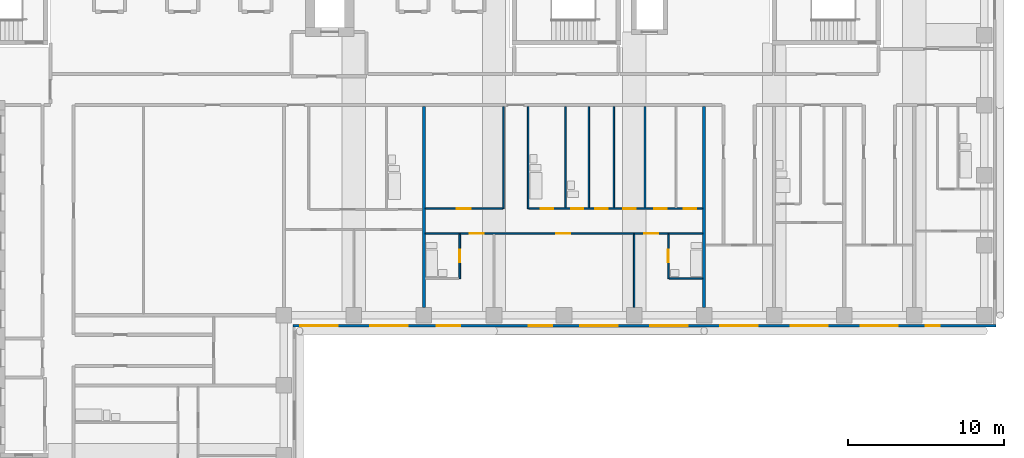
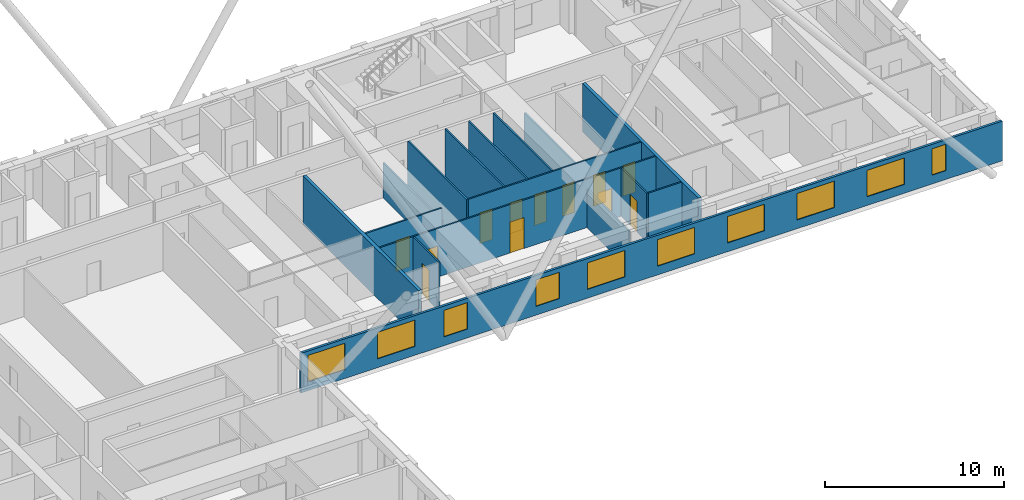
# One storey, part 7 of 13: 16 walls, 12 doors, 10 windows, 22 openings.
"""IFC4 building model written with IfcOpenShell, lengths in metres."""

from ifc_helpers import new_model, si_unit, direction, frame, frame_2d, origin, place, context, subcontext, project, spatial, rectangle, extrude, material, layer, layer_set, type_object, element, fill, save


model = new_model("IFC4")

# Units and contexts
model_context = context("Model", 3, precision=1e-05, world=origin(), true_north=direction((0.0, 1.0)))
body_context = subcontext(model_context, "Body", "Model", "MODEL_VIEW")
ifc_project = project(units=[si_unit("LENGTHUNIT", "METRE"), si_unit("AREAUNIT", "SQUARE_METRE"), si_unit("VOLUMEUNIT", "CUBIC_METRE"), si_unit("PLANEANGLEUNIT", "RADIAN"), si_unit("MASSUNIT", "GRAM", prefix="KILO")], contexts=[model_context])

# Site, building, storey
site_placement = place(None, origin())
site = spatial("IfcSite", under=ifc_project, at=site_placement, CompositionType="ELEMENT")
building_placement = place(site_placement, origin())
building = spatial("IfcBuilding", under=site, at=building_placement, Name="Firuza Court", CompositionType="ELEMENT")
storey_placement = place(building_placement, frame((0.0, 0.0, 119.60009765625)))
storey = spatial("IfcBuildingStorey", under=building, at=storey_placement, Name="L29", CompositionType="ELEMENT", Elevation=119.60009765625)

# Wall, opening, door
ifc_material_1 = material(Name="Moisture-resistant gypsum board partition")
ifc_layer_1 = layer(ifc_material_1, 0.10009765625)
ifc_layer_set_1 = layer_set([ifc_layer_1], Name="Moisture-resistant gypsum board partition")
wall_type_1 = type_object("IfcWallType", Name="Bathroom partition 100", PredefinedType="PLUMBINGWALL", material=ifc_layer_set_1)
wall_1_placement = place(storey_placement, frame((33.800048828125, 38.35009765625, 0.0), z_axis=(0.0, 0.0, 1.0), x_axis=(0.0, 1.0, 0.0)))
wall_1 = element("IfcWall", 1, at=wall_1_placement, inside=storey, type_object=wall_type_1, Name="Bathroom partition 100 L29", PredefinedType="PLUMBINGWALL", context=body_context, shape_type="SweptSolid", body=[
    extrude(rectangle(XDim=2.849853515625, YDim=0.10009765625, at=frame_2d((1.4248046875, 0.0))), origin(), (0.0, 0.0, 1.0), 3.2998046875),
])
opening_1_placement = place(wall_1_placement, frame((1.050048828125, 0.0, 0.0)))
opening_1 = element("IfcOpeningElement", 2, at=opening_1_placement, cuts=wall_1, Name="Opening D29038", PredefinedType="OPENING", context=body_context, shape_type="SweptSolid", body=[
    extrude(rectangle(XDim=0.800048828125, YDim=2.10009765625, at=frame_2d((0.39990234375, 1.050048828125))), frame((0.0, 0.06201171875, 0.0), z_axis=(0.0, -1.0, 0.0), x_axis=(1.0, 0.0, 0.0)), (0.0, 0.0, 1.0), 0.1240234375),
])
ifc_material_2 = material(Name="Timber door leaf in hardwood frame", Category="wood")
door_type_1 = type_object("IfcDoorType", Name="Bathroom door 800", OperationType="SINGLE_SWING_LEFT", PredefinedType="DOOR", material=ifc_material_2)
door_1_placement = place(opening_1_placement, origin())
door_1 = element("IfcDoor", 3, at=door_1_placement, inside=storey, type_object=door_type_1, Name="En-suite door", OperationType="SINGLE_SWING_LEFT", OverallHeight=2.10009765625, OverallWidth=0.800048828125, PredefinedType="DOOR", context=body_context, shape_type="SweptSolid", body=[
    extrude(rectangle(XDim=0.800048828125, YDim=2.10009765625, at=frame_2d((0.39990234375, 1.050048828125))), frame((0.0, 0.02490234375, 0.0), z_axis=(0.0, -1.0, 0.0), x_axis=(1.0, 0.0, 0.0)), (0.0, 0.0, 1.0), 0.050048828125),
])
fill(opening_1, door_1)

wall_2_placement = place(storey_placement, frame((47.199951171875, 38.35009765625, 0.0), z_axis=(0.0, 0.0, 1.0), x_axis=(0.0, 1.0, 0.0)))
wall_2 = element("IfcWall", 4, at=wall_2_placement, inside=storey, type_object=wall_type_1, Name="Bathroom partition 100 L29", PredefinedType="PLUMBINGWALL", context=body_context, shape_type="SweptSolid", body=[
    extrude(rectangle(XDim=2.849853515625, YDim=0.10009765625, at=frame_2d((1.4248046875, 0.0))), origin(), (0.0, 0.0, 1.0), 3.2998046875),
])
opening_2_placement = place(wall_2_placement, frame((1.050048828125, 0.0, 0.0)))
opening_2 = element("IfcOpeningElement", 5, at=opening_2_placement, cuts=wall_2, Name="Opening D29039", PredefinedType="OPENING", context=body_context, shape_type="SweptSolid", body=[
    extrude(rectangle(XDim=0.800048828125, YDim=2.10009765625, at=frame_2d((0.39990234375, 1.050048828125))), frame((0.0, 0.06201171875, 0.0), z_axis=(0.0, -1.0, 0.0), x_axis=(1.0, 0.0, 0.0)), (0.0, 0.0, 1.0), 0.1240234375),
])
door_2_placement = place(opening_2_placement, frame((0.800048828125, 0.0, 0.0), z_axis=(0.0, 0.0, 1.0), x_axis=(-1.0, 0.0, 0.0)))
door_2 = element("IfcDoor", 6, at=door_2_placement, inside=storey, type_object=door_type_1, Name="En-suite door", OperationType="SINGLE_SWING_RIGHT", OverallHeight=2.10009765625, OverallWidth=0.800048828125, PredefinedType="DOOR", context=body_context, shape_type="SweptSolid", body=[
    extrude(rectangle(XDim=0.800048828125, YDim=2.10009765625, at=frame_2d((0.39990234375, 1.050048828125))), frame((0.0, 0.02490234375, 0.0), z_axis=(0.0, -1.0, 0.0), x_axis=(1.0, 0.0, 0.0)), (0.0, 0.0, 1.0), 0.050048828125),
])
fill(opening_2, door_2)

# Walls
wall_3_placement = place(storey_placement, frame((47.25, 38.35009765625, 0.0), z_axis=(0.0, 0.0, 1.0), x_axis=(1.0, 0.0, 0.0)))
element("IfcWall", 7, at=wall_3_placement, inside=storey, type_object=wall_type_1, Name="Bathroom partition 100 L29", PredefinedType="PLUMBINGWALL", context=body_context, shape_type="SweptSolid", body=[
    extrude(rectangle(XDim=2.14990234375, YDim=0.10009765625, at=frame_2d((1.074951171875, 0.0))), origin(), (0.0, 0.0, 1.0), 3.2998046875),
])
wall_4_placement = place(storey_placement, frame((38.199951171875, 42.85009765625, 0.0), z_axis=(0.0, 0.0, 1.0), x_axis=(0.0, 1.0, 0.0)))
element("IfcWall", 8, at=wall_4_placement, inside=storey, type_object=wall_type_1, Name="Bathroom partition 100 L29", PredefinedType="PLUMBINGWALL", context=body_context, shape_type="SweptSolid", body=[
    extrude(rectangle(XDim=6.5498046875, YDim=0.10009765625, at=frame_2d((3.27490234375, 0.0))), origin(), (0.0, 0.0, 1.0), 3.2998046875),
])
for number, where, z_axis, x_axis, name in (
    (9, (40.60009765625, 42.89990234375, 0.0), (0.0, 0.0, 1.0), (0.0, 1.0, 0.0), "Bathroom partition 100 L29"),
    (10, (42.10009765625, 42.89990234375, 0.0), (0.0, 0.0, 1.0), (0.0, 1.0, 0.0), "Bathroom partition 100 L29"),
):
    element("IfcWall", number, at=place(storey_placement, frame(where, z_axis=z_axis, x_axis=x_axis)), inside=storey, type_object=wall_type_1, Name=name, PredefinedType="PLUMBINGWALL", context=body_context, shape_type="SweptSolid", body=[
        extrude(rectangle(XDim=6.5, YDim=0.10009765625, at=frame_2d((3.25, 0.0))), origin(), (0.0, 0.0, 1.0), 3.2998046875),
    ])
ifc_material_3 = material(Name="Timber stud partition, plasterboard both sides", Category="wood")
ifc_layer_2 = layer(ifc_material_3, 0.10009765625)
ifc_layer_set_2 = layer_set([ifc_layer_2], Name="Timber stud partition, plasterboard both sides")
wall_type_2 = type_object("IfcWallType", Name="Partition wall 100", PredefinedType="PARTITIONING", material=ifc_layer_set_2)
wall_5_placement = place(storey_placement, frame((45.0, 36.5, 0.0), z_axis=(0.0, 0.0, 1.0), x_axis=(0.0, 1.0, 0.0)))
element("IfcWall", 11, at=wall_5_placement, inside=storey, type_object=wall_type_2, Name="Partition wall 100 L29", PredefinedType="PARTITIONING", context=body_context, shape_type="SweptSolid", body=[
    extrude(rectangle(XDim=4.699951171875, YDim=0.10009765625, at=frame_2d((2.35009765625, 0.0))), origin(), (0.0, 0.0, 1.0), 2.599853515625),
])

# Wall, openings, doors
wall_6_placement = place(storey_placement, frame((31.60009765625, 41.25, 0.0), z_axis=(0.0, 0.0, 1.0), x_axis=(1.0, 0.0, 0.0)))
wall_6 = element("IfcWall", 12, at=wall_6_placement, inside=storey, type_object=wall_type_2, Name="Partition wall 100 L29", PredefinedType="PARTITIONING", context=body_context, shape_type="SweptSolid", body=[
    extrude(rectangle(XDim=17.7998046875, YDim=0.10009765625, at=frame_2d((8.89990234375, 0.0))), origin(), (0.0, 0.0, 1.0), 3.2998046875),
])
opening_3_placement = place(wall_6_placement, frame((2.85009765625, 0.0, 0.0)))
opening_3 = element("IfcOpeningElement", 13, at=opening_3_placement, cuts=wall_6, Name="Opening D29046", PredefinedType="OPENING", context=body_context, shape_type="SweptSolid", body=[
    extrude(rectangle(XDim=0.89990234375, YDim=2.10009765625, at=frame_2d((0.449951171875, 1.050048828125))), frame((0.0, 0.06201171875, 0.0), z_axis=(0.0, -1.0, 0.0), x_axis=(1.0, 0.0, 0.0)), (0.0, 0.0, 1.0), 0.1240234375),
])
opening_4_placement = place(wall_6_placement, frame((8.39990234375, 0.0, 0.0)))
opening_4 = element("IfcOpeningElement", 14, at=opening_4_placement, cuts=wall_6, Name="Opening D29047", PredefinedType="OPENING", context=body_context, shape_type="SweptSolid", body=[
    extrude(rectangle(XDim=0.89990234375, YDim=2.10009765625, at=frame_2d((0.449951171875, 1.050048828125))), frame((0.0, 0.06201171875, 0.0), z_axis=(0.0, -1.0, 0.0), x_axis=(1.0, 0.0, 0.0)), (0.0, 0.0, 1.0), 0.1240234375),
])
opening_5_placement = place(wall_6_placement, frame((14.050048828125, 0.0, 0.0)))
opening_5 = element("IfcOpeningElement", 15, at=opening_5_placement, cuts=wall_6, Name="Opening D29048", PredefinedType="OPENING", context=body_context, shape_type="SweptSolid", body=[
    extrude(rectangle(XDim=0.89990234375, YDim=2.10009765625, at=frame_2d((0.449951171875, 1.050048828125))), frame((0.0, 0.06201171875, 0.0), z_axis=(0.0, -1.0, 0.0), x_axis=(1.0, 0.0, 0.0)), (0.0, 0.0, 1.0), 0.1240234375),
])
ifc_material_4 = material(Name="Timber door leaf in hardwood frame", Category="wood")
door_type_2 = type_object("IfcDoorType", Name="Room door 900", OperationType="SINGLE_SWING_LEFT", PredefinedType="DOOR", material=ifc_material_4)
door_3_placement = place(opening_3_placement, frame((0.89990234375, 0.0, 0.0), z_axis=(0.0, 0.0, 1.0), x_axis=(-1.0, 0.0, 0.0)))
door_3 = element("IfcDoor", 16, at=door_3_placement, inside=storey, type_object=door_type_2, Name="Bedroom door", OperationType="SINGLE_SWING_LEFT", OverallHeight=2.10009765625, OverallWidth=0.89990234375, PredefinedType="DOOR", context=body_context, shape_type="SweptSolid", body=[
    extrude(rectangle(XDim=0.89990234375, YDim=2.10009765625, at=frame_2d((0.449951171875, 1.050048828125))), frame((0.0, 0.02490234375, 0.0), z_axis=(0.0, -1.0, 0.0), x_axis=(1.0, 0.0, 0.0)), (0.0, 0.0, 1.0), 0.050048828125),
])
fill(opening_3, door_3)
door_4_placement = place(opening_4_placement, frame((0.89990234375, 0.0, 0.0), z_axis=(0.0, 0.0, 1.0), x_axis=(-1.0, 0.0, 0.0)))
door_4 = element("IfcDoor", 17, at=door_4_placement, inside=storey, type_object=door_type_2, Name="Living room door", OperationType="SINGLE_SWING_RIGHT", OverallHeight=2.10009765625, OverallWidth=0.89990234375, PredefinedType="DOOR", context=body_context, shape_type="SweptSolid", body=[
    extrude(rectangle(XDim=0.89990234375, YDim=2.10009765625, at=frame_2d((0.449951171875, 1.050048828125))), frame((0.0, 0.02490234375, 0.0), z_axis=(0.0, -1.0, 0.0), x_axis=(1.0, 0.0, 0.0)), (0.0, 0.0, 1.0), 0.050048828125),
])
fill(opening_4, door_4)
door_5_placement = place(opening_5_placement, frame((0.89990234375, 0.0, 0.0), z_axis=(0.0, 0.0, 1.0), x_axis=(-1.0, 0.0, 0.0)))
door_5 = element("IfcDoor", 18, at=door_5_placement, inside=storey, type_object=door_type_2, Name="Bedroom door", OperationType="SINGLE_SWING_RIGHT", OverallHeight=2.10009765625, OverallWidth=0.89990234375, PredefinedType="DOOR", context=body_context, shape_type="SweptSolid", body=[
    extrude(rectangle(XDim=0.89990234375, YDim=2.10009765625, at=frame_2d((0.449951171875, 1.050048828125))), frame((0.0, 0.02490234375, 0.0), z_axis=(0.0, -1.0, 0.0), x_axis=(1.0, 0.0, 0.0)), (0.0, 0.0, 1.0), 0.050048828125),
])
fill(opening_5, door_5)

# Wall, opening, door
wall_7_placement = place(storey_placement, frame((31.60009765625, 42.85009765625, 0.0), z_axis=(0.0, 0.0, 1.0), x_axis=(1.0, 0.0, 0.0)))
wall_7 = element("IfcWall", 19, at=wall_7_placement, inside=storey, type_object=wall_type_2, Name="Partition wall 100 L29", PredefinedType="PARTITIONING", context=body_context, shape_type="SweptSolid", body=[
    extrude(rectangle(XDim=4.949951171875, YDim=0.10009765625, at=frame_2d((2.47509765625, 0.0))), origin(), (0.0, 0.0, 1.0), 3.2998046875),
])
opening_6_placement = place(wall_7_placement, frame((2.0, 0.0, 0.0)))
opening_6 = element("IfcOpeningElement", 20, at=opening_6_placement, cuts=wall_7, Name="Opening D29055", PredefinedType="OPENING", context=body_context, shape_type="SweptSolid", body=[
    extrude(rectangle(XDim=0.89990234375, YDim=2.10009765625, at=frame_2d((0.449951171875, 1.050048828125))), frame((0.0, 0.06201171875, 0.0), z_axis=(0.0, -1.0, 0.0), x_axis=(1.0, 0.0, 0.0)), (0.0, 0.0, 1.0), 0.1240234375),
])
door_6_placement = place(opening_6_placement, origin())
door_6 = element("IfcDoor", 21, at=door_6_placement, inside=storey, type_object=door_type_2, Name="Kitchen door", OperationType="SINGLE_SWING_LEFT", OverallHeight=2.10009765625, OverallWidth=0.89990234375, PredefinedType="DOOR", context=body_context, shape_type="SweptSolid", body=[
    extrude(rectangle(XDim=0.89990234375, YDim=2.10009765625, at=frame_2d((0.449951171875, 1.050048828125))), frame((0.0, 0.02490234375, 0.0), z_axis=(0.0, -1.0, 0.0), x_axis=(1.0, 0.0, 0.0)), (0.0, 0.0, 1.0), 0.050048828125),
])
fill(opening_6, door_6)

# Wall
wall_8_placement = place(storey_placement, frame((36.60009765625, 42.85009765625, 0.0), z_axis=(0.0, 0.0, 1.0), x_axis=(0.0, 1.0, 0.0)))
element("IfcWall", 22, at=wall_8_placement, inside=storey, type_object=wall_type_2, Name="Partition wall 100 L29", PredefinedType="PARTITIONING", context=body_context, shape_type="SweptSolid", body=[
    extrude(rectangle(XDim=6.5498046875, YDim=0.10009765625, at=frame_2d((3.27490234375, 0.0))), origin(), (0.0, 0.0, 1.0), 2.39990234375),
])

# Wall, openings, doors
wall_9_placement = place(storey_placement, frame((38.25, 42.85009765625, 0.0), z_axis=(0.0, 0.0, 1.0), x_axis=(1.0, 0.0, 0.0)))
wall_9 = element("IfcWall", 23, at=wall_9_placement, inside=storey, type_object=wall_type_2, Name="Partition wall 100 L29", PredefinedType="PARTITIONING", context=body_context, shape_type="SweptSolid", body=[
    extrude(rectangle(XDim=11.14990234375, YDim=0.10009765625, at=frame_2d((5.574951171875, 0.0))), origin(), (0.0, 0.0, 1.0), 3.2998046875),
])
opening_7_placement = place(wall_9_placement, frame((0.75, 0.0, 0.0)))
opening_7 = element("IfcOpeningElement", 24, at=opening_7_placement, cuts=wall_9, Name="Opening D29056", PredefinedType="OPENING", context=body_context, shape_type="SweptSolid", body=[
    extrude(rectangle(XDim=0.800048828125, YDim=2.10009765625, at=frame_2d((0.39990234375, 1.050048828125))), frame((0.0, 0.06201171875, 0.0), z_axis=(0.0, -1.0, 0.0), x_axis=(1.0, 0.0, 0.0)), (0.0, 0.0, 1.0), 0.1240234375),
])
opening_8_placement = place(wall_9_placement, frame((8.050048828125, 0.0, 0.0)))
opening_8 = element("IfcOpeningElement", 25, at=opening_8_placement, cuts=wall_9, Name="Opening D29057", PredefinedType="OPENING", context=body_context, shape_type="SweptSolid", body=[
    extrude(rectangle(XDim=0.800048828125, YDim=2.10009765625, at=frame_2d((0.39990234375, 1.050048828125))), frame((0.0, 0.06201171875, 0.0), z_axis=(0.0, -1.0, 0.0), x_axis=(1.0, 0.0, 0.0)), (0.0, 0.0, 1.0), 0.1240234375),
])
opening_9_placement = place(wall_9_placement, frame((4.25, 0.0, 0.0)))
opening_9 = element("IfcOpeningElement", 26, at=opening_9_placement, cuts=wall_9, Name="Opening D29058", PredefinedType="OPENING", context=body_context, shape_type="SweptSolid", body=[
    extrude(rectangle(XDim=0.800048828125, YDim=2.10009765625, at=frame_2d((0.39990234375, 1.050048828125))), frame((0.0, 0.06201171875, 0.0), z_axis=(0.0, -1.0, 0.0), x_axis=(1.0, 0.0, 0.0)), (0.0, 0.0, 1.0), 0.1240234375),
])
opening_10_placement = place(wall_9_placement, frame((6.050048828125, 0.0, 0.0)))
opening_10 = element("IfcOpeningElement", 27, at=opening_10_placement, cuts=wall_9, Name="Opening D29059", PredefinedType="OPENING", context=body_context, shape_type="SweptSolid", body=[
    extrude(rectangle(XDim=0.800048828125, YDim=2.10009765625, at=frame_2d((0.39990234375, 1.050048828125))), frame((0.0, 0.06201171875, 0.0), z_axis=(0.0, -1.0, 0.0), x_axis=(1.0, 0.0, 0.0)), (0.0, 0.0, 1.0), 0.1240234375),
])
opening_11_placement = place(wall_9_placement, frame((9.949951171875, 0.0, 0.0)))
opening_11 = element("IfcOpeningElement", 28, at=opening_11_placement, cuts=wall_9, Name="Opening D29060", PredefinedType="OPENING", context=body_context, shape_type="SweptSolid", body=[
    extrude(rectangle(XDim=0.800048828125, YDim=2.10009765625, at=frame_2d((0.39990234375, 1.050048828125))), frame((0.0, 0.06201171875, 0.0), z_axis=(0.0, -1.0, 0.0), x_axis=(1.0, 0.0, 0.0)), (0.0, 0.0, 1.0), 0.1240234375),
])
opening_12_placement = place(wall_9_placement, frame((2.699951171875, 0.0, 0.0)))
opening_12 = element("IfcOpeningElement", 29, at=opening_12_placement, cuts=wall_9, Name="Opening D29061", PredefinedType="OPENING", context=body_context, shape_type="SweptSolid", body=[
    extrude(rectangle(XDim=0.800048828125, YDim=2.10009765625, at=frame_2d((0.39990234375, 1.050048828125))), frame((0.0, 0.06201171875, 0.0), z_axis=(0.0, -1.0, 0.0), x_axis=(1.0, 0.0, 0.0)), (0.0, 0.0, 1.0), 0.1240234375),
])
door_7_placement = place(opening_7_placement, origin())
door_7 = element("IfcDoor", 30, at=door_7_placement, inside=storey, type_object=door_type_1, Name="Bathroom door", OperationType="SINGLE_SWING_LEFT", OverallHeight=2.10009765625, OverallWidth=0.800048828125, PredefinedType="DOOR", context=body_context, shape_type="SweptSolid", body=[
    extrude(rectangle(XDim=0.800048828125, YDim=2.10009765625, at=frame_2d((0.39990234375, 1.050048828125))), frame((0.0, 0.02490234375, 0.0), z_axis=(0.0, -1.0, 0.0), x_axis=(1.0, 0.0, 0.0)), (0.0, 0.0, 1.0), 0.050048828125),
])
fill(opening_7, door_7)
door_8_placement = place(opening_12_placement, origin())
door_8 = element("IfcDoor", 31, at=door_8_placement, inside=storey, type_object=door_type_1, Name="Powder room door", OperationType="SINGLE_SWING_LEFT", OverallHeight=2.10009765625, OverallWidth=0.800048828125, PredefinedType="DOOR", context=body_context, shape_type="SweptSolid", body=[
    extrude(rectangle(XDim=0.800048828125, YDim=2.10009765625, at=frame_2d((0.39990234375, 1.050048828125))), frame((0.0, 0.02490234375, 0.0), z_axis=(0.0, -1.0, 0.0), x_axis=(1.0, 0.0, 0.0)), (0.0, 0.0, 1.0), 0.050048828125),
])
fill(opening_12, door_8)
ifc_material_5 = material(Name="Timber door leaf in hardwood frame", Category="wood")
door_type_3 = type_object("IfcDoorType", Name="Room door 800", OperationType="SINGLE_SWING_LEFT", PredefinedType="DOOR", material=ifc_material_5)
door_9_placement = place(opening_8_placement, origin())
door_9 = element("IfcDoor", 32, at=door_9_placement, inside=storey, type_object=door_type_3, Name="Pantry door", OperationType="SINGLE_SWING_LEFT", OverallHeight=2.10009765625, OverallWidth=0.800048828125, PredefinedType="DOOR", context=body_context, shape_type="SweptSolid", body=[
    extrude(rectangle(XDim=0.800048828125, YDim=2.10009765625, at=frame_2d((0.39990234375, 1.050048828125))), frame((0.0, 0.02490234375, 0.0), z_axis=(0.0, -1.0, 0.0), x_axis=(1.0, 0.0, 0.0)), (0.0, 0.0, 1.0), 0.050048828125),
])
fill(opening_8, door_9)
door_10_placement = place(opening_9_placement, origin())
door_10 = element("IfcDoor", 33, at=door_10_placement, inside=storey, type_object=door_type_3, Name="Store door", OperationType="SINGLE_SWING_LEFT", OverallHeight=2.10009765625, OverallWidth=0.800048828125, PredefinedType="DOOR", context=body_context, shape_type="SweptSolid", body=[
    extrude(rectangle(XDim=0.800048828125, YDim=2.10009765625, at=frame_2d((0.39990234375, 1.050048828125))), frame((0.0, 0.02490234375, 0.0), z_axis=(0.0, -1.0, 0.0), x_axis=(1.0, 0.0, 0.0)), (0.0, 0.0, 1.0), 0.050048828125),
])
fill(opening_9, door_10)
door_11_placement = place(opening_10_placement, origin())
door_11 = element("IfcDoor", 34, at=door_11_placement, inside=storey, type_object=door_type_3, Name="Utility room door", OperationType="SINGLE_SWING_LEFT", OverallHeight=2.10009765625, OverallWidth=0.800048828125, PredefinedType="DOOR", context=body_context, shape_type="SweptSolid", body=[
    extrude(rectangle(XDim=0.800048828125, YDim=2.10009765625, at=frame_2d((0.39990234375, 1.050048828125))), frame((0.0, 0.02490234375, 0.0), z_axis=(0.0, -1.0, 0.0), x_axis=(1.0, 0.0, 0.0)), (0.0, 0.0, 1.0), 0.050048828125),
])
fill(opening_10, door_11)
door_12_placement = place(opening_11_placement, origin())
door_12 = element("IfcDoor", 35, at=door_12_placement, inside=storey, type_object=door_type_3, Name="Walk-in wardrobe door", OperationType="SINGLE_SWING_LEFT", OverallHeight=2.10009765625, OverallWidth=0.800048828125, PredefinedType="DOOR", context=body_context, shape_type="SweptSolid", body=[
    extrude(rectangle(XDim=0.800048828125, YDim=2.10009765625, at=frame_2d((0.39990234375, 1.050048828125))), frame((0.0, 0.02490234375, 0.0), z_axis=(0.0, -1.0, 0.0), x_axis=(1.0, 0.0, 0.0)), (0.0, 0.0, 1.0), 0.050048828125),
])
fill(opening_11, door_12)

# Walls
wall_10_placement = place(storey_placement, frame((43.699951171875, 42.89990234375, 0.0), z_axis=(0.0, 0.0, 1.0), x_axis=(0.0, 1.0, 0.0)))
element("IfcWall", 36, at=wall_10_placement, inside=storey, type_object=wall_type_2, Name="Partition wall 100 L29", PredefinedType="PARTITIONING", context=body_context, shape_type="SweptSolid", body=[
    extrude(rectangle(XDim=6.5, YDim=0.10009765625, at=frame_2d((3.25, 0.0))), origin(), (0.0, 0.0, 1.0), 3.2998046875),
])
wall_11_placement = place(storey_placement, frame((45.699951171875, 42.89990234375, 0.0), z_axis=(0.0, 0.0, 1.0), x_axis=(0.0, 1.0, 0.0)))
element("IfcWall", 37, at=wall_11_placement, inside=storey, type_object=wall_type_2, Name="Partition wall 100 L29", PredefinedType="PARTITIONING", context=body_context, shape_type="SweptSolid", body=[
    extrude(rectangle(XDim=6.5, YDim=0.10009765625, at=frame_2d((3.25, 0.0))), origin(), (0.0, 0.0, 1.0), 2.599853515625),
])
ifc_material_6 = material(Name="Blockwork, plastered both sides", Category="masonry")
ifc_layer_3 = layer(ifc_material_6, 0.199951171875)
ifc_layer_set_3 = layer_set([ifc_layer_3], Name="Blockwork, plastered both sides")
wall_type_3 = type_object("IfcWallType", Name="Party wall 200", PredefinedType="PARTITIONING", material=ifc_layer_set_3)
for number, where, z_axis, x_axis, name in (
    (38, (31.5, 36.5, 0.0), (0.0, 0.0, 1.0), (0.0, 1.0, 0.0), "Party wall 200 L29"),
    (39, (49.5, 36.5, 0.0), (0.0, 0.0, 1.0), (0.0, 1.0, 0.0), "Party wall 200 L29"),
):
    element("IfcWall", number, at=place(storey_placement, frame(where, z_axis=z_axis, x_axis=x_axis)), inside=storey, type_object=wall_type_3, Name=name, PredefinedType="PARTITIONING", context=body_context, shape_type="SweptSolid", body=[
        extrude(rectangle(XDim=12.89990234375, YDim=0.199951171875, at=frame_2d((6.449951171875, 0.0))), origin(), (0.0, 0.0, 1.0), 3.2998046875),
    ])

# Wall, openings, windows
ifc_material_7 = material(Name="Ceramic tile", Category="ceramic")
ifc_layer_4 = layer(ifc_material_7, 0.02001953125)
ifc_material_8 = material(Name="Mineral wool insulation", Category="insulation")
ifc_layer_5 = layer(ifc_material_8, 0.050048828125)
ifc_material_9 = material(Name="Concrete C40/50 precast", Category="concrete")
ifc_layer_6 = layer(ifc_material_9, 0.080078125)
ifc_layer_set_4 = layer_set([ifc_layer_4, ifc_layer_5, ifc_layer_6], Name="Concrete C40/50 precast")
wall_type_4 = type_object("IfcWallType", Name="Precast cladding wall with turquoise TILE PANEL face 150", PredefinedType="STANDARD", material=ifc_layer_set_4)
wall_12_placement = place(storey_placement, frame((23.10009765625, 35.324951171875, 0.0), z_axis=(0.0, 0.0, 1.0), x_axis=(1.0, 0.0, 0.0)))
wall_12 = element("IfcWall", 40, at=wall_12_placement, inside=storey, type_object=wall_type_4, Name="Facade wall L29 S", PredefinedType="STANDARD", context=body_context, shape_type="SweptSolid", body=[
    extrude(rectangle(XDim=45.14990234375, YDim=0.14990234375, at=frame_2d((22.574951171875, 0.0))), origin(), (0.0, 0.0, 1.0), 2.699951171875),
])
opening_13_placement = place(wall_12_placement, frame((0.449951171875, 0.0, 0.60009765625)))
opening_13 = element("IfcOpeningElement", 41, at=opening_13_placement, cuts=wall_12, Name="Opening W1", PredefinedType="OPENING", context=body_context, shape_type="SweptSolid", body=[
    extrude(rectangle(XDim=2.39990234375, YDim=1.800048828125, at=frame_2d((1.199951171875, 0.89990234375))), frame((0.0, 0.0869140625, 0.0), z_axis=(0.0, -1.0, 0.0), x_axis=(1.0, 0.0, 0.0)), (0.0, 0.0, 1.0), 0.173828125),
])
opening_14_placement = place(wall_12_placement, frame((4.949951171875, 0.0, 0.60009765625)))
opening_14 = element("IfcOpeningElement", 42, at=opening_14_placement, cuts=wall_12, Name="Opening W1", PredefinedType="OPENING", context=body_context, shape_type="SweptSolid", body=[
    extrude(rectangle(XDim=2.39990234375, YDim=1.800048828125, at=frame_2d((1.199951171875, 0.89990234375))), frame((0.0, 0.0869140625, 0.0), z_axis=(0.0, -1.0, 0.0), x_axis=(1.0, 0.0, 0.0)), (0.0, 0.0, 1.0), 0.173828125),
])
opening_15_placement = place(wall_12_placement, frame((9.225341796875, 0.0, 0.60009765625)))
opening_15 = element("IfcOpeningElement", 43, at=opening_15_placement, cuts=wall_12, Name="Opening W2", PredefinedType="OPENING", context=body_context, shape_type="SweptSolid", body=[
    extrude(rectangle(XDim=1.5, YDim=1.800048828125, at=frame_2d((0.75, 0.89990234375))), frame((0.0, 0.0869140625, 0.0), z_axis=(0.0, -1.0, 0.0), x_axis=(1.0, 0.0, 0.0)), (0.0, 0.0, 1.0), 0.173828125),
])
opening_16_placement = place(wall_12_placement, frame((15.146484375, 0.0, 0.60009765625)))
opening_16 = element("IfcOpeningElement", 44, at=opening_16_placement, cuts=wall_12, Name="Opening W2", PredefinedType="OPENING", context=body_context, shape_type="SweptSolid", body=[
    extrude(rectangle(XDim=1.5, YDim=1.800048828125, at=frame_2d((0.75, 0.89990234375))), frame((0.0, 0.0869140625, 0.0), z_axis=(0.0, -1.0, 0.0), x_axis=(1.0, 0.0, 0.0)), (0.0, 0.0, 1.0), 0.173828125),
])
opening_17_placement = place(wall_12_placement, frame((18.449951171875, 0.0, 0.60009765625)))
opening_17 = element("IfcOpeningElement", 45, at=opening_17_placement, cuts=wall_12, Name="Opening W1", PredefinedType="OPENING", context=body_context, shape_type="SweptSolid", body=[
    extrude(rectangle(XDim=2.39990234375, YDim=1.800048828125, at=frame_2d((1.199951171875, 0.89990234375))), frame((0.0, 0.0869140625, 0.0), z_axis=(0.0, -1.0, 0.0), x_axis=(1.0, 0.0, 0.0)), (0.0, 0.0, 1.0), 0.173828125),
])
opening_18_placement = place(wall_12_placement, frame((22.949951171875, 0.0, 0.60009765625)))
opening_18 = element("IfcOpeningElement", 46, at=opening_18_placement, cuts=wall_12, Name="Opening W1", PredefinedType="OPENING", context=body_context, shape_type="SweptSolid", body=[
    extrude(rectangle(XDim=2.39990234375, YDim=1.800048828125, at=frame_2d((1.199951171875, 0.89990234375))), frame((0.0, 0.0869140625, 0.0), z_axis=(0.0, -1.0, 0.0), x_axis=(1.0, 0.0, 0.0)), (0.0, 0.0, 1.0), 0.173828125),
])
opening_19_placement = place(wall_12_placement, frame((27.449951171875, 0.0, 0.60009765625)))
opening_19 = element("IfcOpeningElement", 47, at=opening_19_placement, cuts=wall_12, Name="Opening W1", PredefinedType="OPENING", context=body_context, shape_type="SweptSolid", body=[
    extrude(rectangle(XDim=2.39990234375, YDim=1.800048828125, at=frame_2d((1.199951171875, 0.89990234375))), frame((0.0, 0.0869140625, 0.0), z_axis=(0.0, -1.0, 0.0), x_axis=(1.0, 0.0, 0.0)), (0.0, 0.0, 1.0), 0.173828125),
])
opening_20_placement = place(wall_12_placement, frame((31.949951171875, 0.0, 0.60009765625)))
opening_20 = element("IfcOpeningElement", 48, at=opening_20_placement, cuts=wall_12, Name="Opening W1", PredefinedType="OPENING", context=body_context, shape_type="SweptSolid", body=[
    extrude(rectangle(XDim=2.39990234375, YDim=1.800048828125, at=frame_2d((1.199951171875, 0.89990234375))), frame((0.0, 0.0869140625, 0.0), z_axis=(0.0, -1.0, 0.0), x_axis=(1.0, 0.0, 0.0)), (0.0, 0.0, 1.0), 0.173828125),
])
opening_21_placement = place(wall_12_placement, frame((36.449951171875, 0.0, 0.60009765625)))
opening_21 = element("IfcOpeningElement", 49, at=opening_21_placement, cuts=wall_12, Name="Opening W1", PredefinedType="OPENING", context=body_context, shape_type="SweptSolid", body=[
    extrude(rectangle(XDim=2.39990234375, YDim=1.800048828125, at=frame_2d((1.199951171875, 0.89990234375))), frame((0.0, 0.0869140625, 0.0), z_axis=(0.0, -1.0, 0.0), x_axis=(1.0, 0.0, 0.0)), (0.0, 0.0, 1.0), 0.173828125),
])
opening_22_placement = place(wall_12_placement, frame((40.630615234375, 0.0, 0.60009765625)))
opening_22 = element("IfcOpeningElement", 50, at=opening_22_placement, cuts=wall_12, Name="Opening W3", PredefinedType="OPENING", context=body_context, shape_type="SweptSolid", body=[
    extrude(rectangle(XDim=0.89990234375, YDim=1.800048828125, at=frame_2d((0.449951171875, 0.89990234375))), frame((0.0, 0.0869140625, 0.0), z_axis=(0.0, -1.0, 0.0), x_axis=(1.0, 0.0, 0.0)), (0.0, 0.0, 1.0), 0.173828125),
])
ifc_material_10 = material(Name="Aluminium frame, triple clear glazing", Category="aluminium")
window_type_1 = type_object("IfcWindowType", Name="Window W1 2400 x 1800", PartitioningType="SINGLE_PANEL", PredefinedType="WINDOW", material=ifc_material_10)
window_1_placement = place(opening_13_placement, origin())
window_1 = element("IfcWindow", 51, at=window_1_placement, inside=storey, type_object=window_type_1, Name="Window L29", OverallHeight=1.800048828125, OverallWidth=2.39990234375, PartitioningType="SINGLE_PANEL", PredefinedType="WINDOW", context=body_context, shape_type="SweptSolid", body=[
    extrude(rectangle(XDim=2.39990234375, YDim=1.800048828125, at=frame_2d((1.199951171875, 0.89990234375))), frame((0.0, 0.030029296875, 0.0), z_axis=(0.0, -1.0, 0.0), x_axis=(1.0, 0.0, 0.0)), (0.0, 0.0, 1.0), 0.06005859375),
])
fill(opening_13, window_1)
window_2_placement = place(opening_14_placement, origin())
window_2 = element("IfcWindow", 52, at=window_2_placement, inside=storey, type_object=window_type_1, Name="Window L29", OverallHeight=1.800048828125, OverallWidth=2.39990234375, PartitioningType="SINGLE_PANEL", PredefinedType="WINDOW", context=body_context, shape_type="SweptSolid", body=[
    extrude(rectangle(XDim=2.39990234375, YDim=1.800048828125, at=frame_2d((1.199951171875, 0.89990234375))), frame((0.0, 0.030029296875, 0.0), z_axis=(0.0, -1.0, 0.0), x_axis=(1.0, 0.0, 0.0)), (0.0, 0.0, 1.0), 0.06005859375),
])
fill(opening_14, window_2)
window_3_placement = place(opening_17_placement, origin())
window_3 = element("IfcWindow", 53, at=window_3_placement, inside=storey, type_object=window_type_1, Name="Window L29", OverallHeight=1.800048828125, OverallWidth=2.39990234375, PartitioningType="SINGLE_PANEL", PredefinedType="WINDOW", context=body_context, shape_type="SweptSolid", body=[
    extrude(rectangle(XDim=2.39990234375, YDim=1.800048828125, at=frame_2d((1.199951171875, 0.89990234375))), frame((0.0, 0.030029296875, 0.0), z_axis=(0.0, -1.0, 0.0), x_axis=(1.0, 0.0, 0.0)), (0.0, 0.0, 1.0), 0.06005859375),
])
fill(opening_17, window_3)
window_4_placement = place(opening_18_placement, origin())
window_4 = element("IfcWindow", 54, at=window_4_placement, inside=storey, type_object=window_type_1, Name="Window L29", OverallHeight=1.800048828125, OverallWidth=2.39990234375, PartitioningType="SINGLE_PANEL", PredefinedType="WINDOW", context=body_context, shape_type="SweptSolid", body=[
    extrude(rectangle(XDim=2.39990234375, YDim=1.800048828125, at=frame_2d((1.199951171875, 0.89990234375))), frame((0.0, 0.030029296875, 0.0), z_axis=(0.0, -1.0, 0.0), x_axis=(1.0, 0.0, 0.0)), (0.0, 0.0, 1.0), 0.06005859375),
])
fill(opening_18, window_4)
window_5_placement = place(opening_19_placement, origin())
window_5 = element("IfcWindow", 55, at=window_5_placement, inside=storey, type_object=window_type_1, Name="Window L29", OverallHeight=1.800048828125, OverallWidth=2.39990234375, PartitioningType="SINGLE_PANEL", PredefinedType="WINDOW", context=body_context, shape_type="SweptSolid", body=[
    extrude(rectangle(XDim=2.39990234375, YDim=1.800048828125, at=frame_2d((1.199951171875, 0.89990234375))), frame((0.0, 0.030029296875, 0.0), z_axis=(0.0, -1.0, 0.0), x_axis=(1.0, 0.0, 0.0)), (0.0, 0.0, 1.0), 0.06005859375),
])
fill(opening_19, window_5)
window_6_placement = place(opening_20_placement, origin())
window_6 = element("IfcWindow", 56, at=window_6_placement, inside=storey, type_object=window_type_1, Name="Window L29", OverallHeight=1.800048828125, OverallWidth=2.39990234375, PartitioningType="SINGLE_PANEL", PredefinedType="WINDOW", context=body_context, shape_type="SweptSolid", body=[
    extrude(rectangle(XDim=2.39990234375, YDim=1.800048828125, at=frame_2d((1.199951171875, 0.89990234375))), frame((0.0, 0.030029296875, 0.0), z_axis=(0.0, -1.0, 0.0), x_axis=(1.0, 0.0, 0.0)), (0.0, 0.0, 1.0), 0.06005859375),
])
fill(opening_20, window_6)
window_7_placement = place(opening_21_placement, origin())
window_7 = element("IfcWindow", 57, at=window_7_placement, inside=storey, type_object=window_type_1, Name="Window L29", OverallHeight=1.800048828125, OverallWidth=2.39990234375, PartitioningType="SINGLE_PANEL", PredefinedType="WINDOW", context=body_context, shape_type="SweptSolid", body=[
    extrude(rectangle(XDim=2.39990234375, YDim=1.800048828125, at=frame_2d((1.199951171875, 0.89990234375))), frame((0.0, 0.030029296875, 0.0), z_axis=(0.0, -1.0, 0.0), x_axis=(1.0, 0.0, 0.0)), (0.0, 0.0, 1.0), 0.06005859375),
])
fill(opening_21, window_7)
ifc_material_11 = material(Name="Aluminium frame, triple clear glazing", Category="aluminium")
window_type_2 = type_object("IfcWindowType", Name="Window W2 1500 x 1800", PartitioningType="SINGLE_PANEL", PredefinedType="WINDOW", material=ifc_material_11)
window_8_placement = place(opening_15_placement, origin())
window_8 = element("IfcWindow", 58, at=window_8_placement, inside=storey, type_object=window_type_2, Name="Window L29", OverallHeight=1.800048828125, OverallWidth=1.5, PartitioningType="SINGLE_PANEL", PredefinedType="WINDOW", context=body_context, shape_type="SweptSolid", body=[
    extrude(rectangle(XDim=1.5, YDim=1.800048828125, at=frame_2d((0.75, 0.89990234375))), frame((0.0, 0.030029296875, 0.0), z_axis=(0.0, -1.0, 0.0), x_axis=(1.0, 0.0, 0.0)), (0.0, 0.0, 1.0), 0.06005859375),
])
fill(opening_15, window_8)
window_9_placement = place(opening_16_placement, origin())
window_9 = element("IfcWindow", 59, at=window_9_placement, inside=storey, type_object=window_type_2, Name="Window L29", OverallHeight=1.800048828125, OverallWidth=1.5, PartitioningType="SINGLE_PANEL", PredefinedType="WINDOW", context=body_context, shape_type="SweptSolid", body=[
    extrude(rectangle(XDim=1.5, YDim=1.800048828125, at=frame_2d((0.75, 0.89990234375))), frame((0.0, 0.030029296875, 0.0), z_axis=(0.0, -1.0, 0.0), x_axis=(1.0, 0.0, 0.0)), (0.0, 0.0, 1.0), 0.06005859375),
])
fill(opening_16, window_9)
ifc_material_12 = material(Name="Aluminium frame, triple clear glazing", Category="aluminium")
window_type_3 = type_object("IfcWindowType", Name="Window W3 900 x 1800", PartitioningType="SINGLE_PANEL", PredefinedType="WINDOW", material=ifc_material_12)
window_10_placement = place(opening_22_placement, origin())
window_10 = element("IfcWindow", 60, at=window_10_placement, inside=storey, type_object=window_type_3, Name="Window L29", OverallHeight=1.800048828125, OverallWidth=0.89990234375, PartitioningType="SINGLE_PANEL", PredefinedType="WINDOW", context=body_context, shape_type="SweptSolid", body=[
    extrude(rectangle(XDim=0.89990234375, YDim=1.800048828125, at=frame_2d((0.449951171875, 0.89990234375))), frame((0.0, 0.030029296875, 0.0), z_axis=(0.0, -1.0, 0.0), x_axis=(1.0, 0.0, 0.0)), (0.0, 0.0, 1.0), 0.06005859375),
])
fill(opening_22, window_10)

save(model, "model.ifc")
